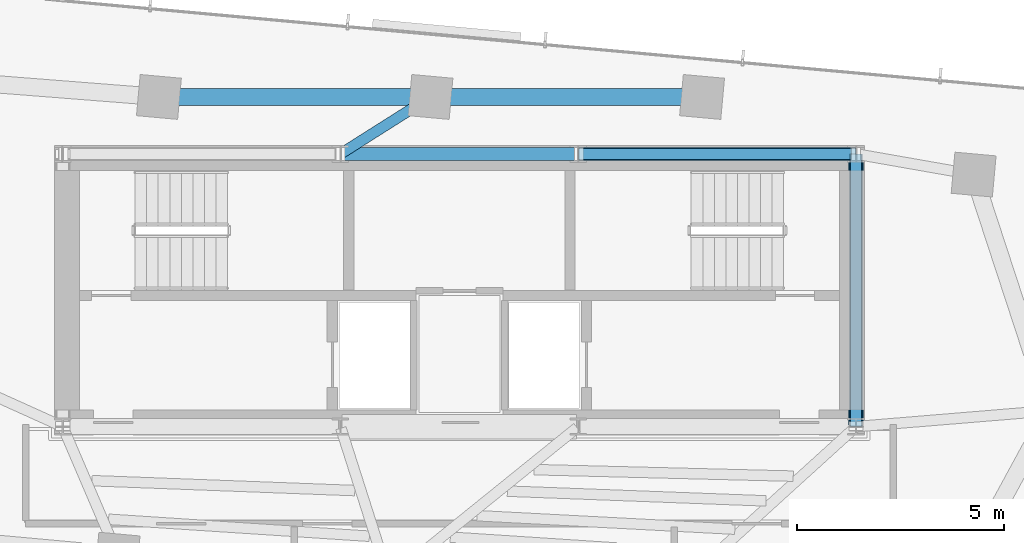
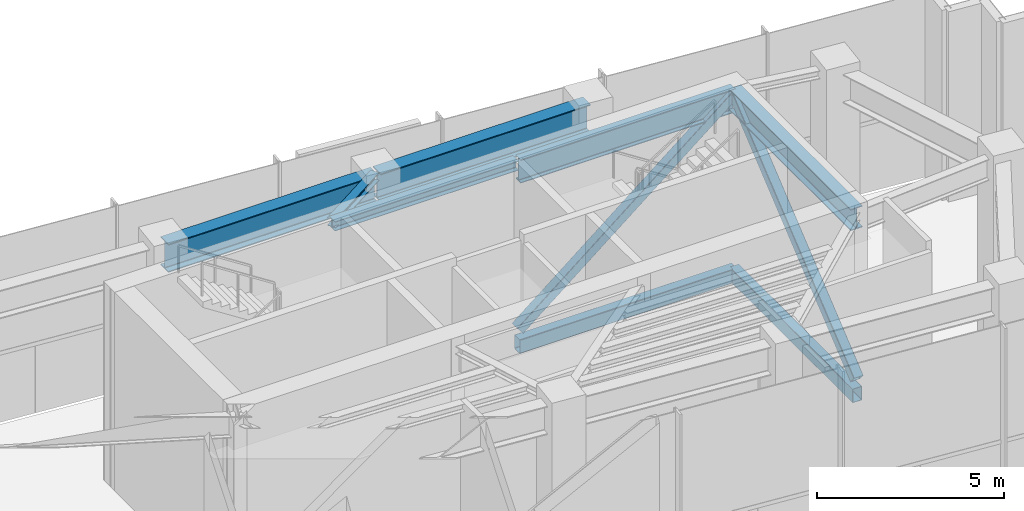
# One storey, part 8 of 18: 6 beams, 4 members.
"""IFC4 building model written with IfcOpenShell, lengths in metres."""

from ifc_helpers import new_model, si_unit, direction, frame, origin, origin_2d, place, context, subcontext, project, spatial, hollow_rectangle, i_section, extrude, source, transform, mapped, material, material_profile, profile_set, type_object, type_shapes, element, save


model = new_model("IFC4")

# Units and contexts
model_context = context("Model", 3, precision=1e-05, world=origin(), true_north=direction((0.0, 1.0)))
body_context = subcontext(model_context, "Body", "Model", "MODEL_VIEW")
ifc_project = project(units=[si_unit("LENGTHUNIT", "METRE"), si_unit("AREAUNIT", "SQUARE_METRE"), si_unit("VOLUMEUNIT", "CUBIC_METRE"), si_unit("PLANEANGLEUNIT", "RADIAN"), si_unit("MASSUNIT", "GRAM", prefix="KILO")], contexts=[model_context])

# Site, building, storey
site_placement = place(None, origin())
site = spatial("IfcSite", under=ifc_project, at=site_placement, CompositionType="ELEMENT")
building_placement = place(site_placement, origin())
building = spatial("IfcBuilding", under=site, at=building_placement, Name="Astriad Promenade Condominiums", CompositionType="ELEMENT")
storey_placement = place(building_placement, frame((0.0, 0.0, 277.300048828125)))
storey = spatial("IfcBuildingStorey", under=building, at=storey_placement, Name="L78", CompositionType="ELEMENT", Elevation=277.300048828125)

# Beams
ifc_material_1 = material(Name="Steel ASTM A992 Grade 50", Category="steel")
ifc_material_profile_1 = material_profile(ifc_material_1, i_section(OverallWidth=0.267822265625, OverallDepth=0.76953125, WebThickness=0.015625, FlangeThickness=0.025390625, FilletRadius=0.021484375, at=origin_2d()), Name="W30X132")
ifc_profile_set_1 = profile_set([ifc_material_profile_1], Name="Steel ASTM A992 Grade 50")
beam_type_1 = type_object("IfcBeamType", Name="STEEL FLOOR GIRDER W30X132", PredefinedType="BEAM", material=ifc_profile_set_1)
shared_shape_1 = source(origin(), body_context, "Body", "SweptSolid", [
    extrude(i_section(OverallWidth=0.267822265625, OverallDepth=0.76953125, WebThickness=0.015625, FlangeThickness=0.025390625, FilletRadius=0.021484375, at=origin_2d()), origin(), (0.0, 0.0, 1.0), 6.64013671875),
])
type_shapes(beam_type_1, [shared_shape_1])
beam_1_placement = place(storey_placement, frame((38.919921875, 24.0, 5.835205078125), z_axis=(1.0, 0.0, 0.0), x_axis=(0.0, 1.0, 0.0)))
element("IfcBeam", 1, at=beam_1_placement, inside=storey, type_object=beam_type_1, Name="Core Ring Beam CG-N3-L78", PredefinedType="BEAM", context=body_context, shape_type="MappedRepresentation", body=[
    mapped(shared_shape_1, transform((0.0, 0.0, 0.0), scale=1.0)),
])
ifc_material_profile_2 = material_profile(ifc_material_1, i_section(OverallWidth=0.3046875, OverallDepth=0.307861328125, WebThickness=0.010009765625, FlangeThickness=0.015380859375, FilletRadius=0.01513671875, at=origin_2d()), Name="W12X65")
ifc_profile_set_2 = profile_set([ifc_material_profile_2], Name="Steel ASTM A992 Grade 50")
beam_type_2 = type_object("IfcBeamType", Name="STEEL OPENING LINTEL W12X65", PredefinedType="LINTEL", material=ifc_profile_set_2)
shared_shape_2 = source(origin(), body_context, "Body", "SweptSolid", [
    extrude(i_section(OverallWidth=0.3046875, OverallDepth=0.307861328125, WebThickness=0.010009765625, FlangeThickness=0.015380859375, FilletRadius=0.01513671875, at=origin_2d()), origin(), (0.0, 0.0, 1.0), 5.68017578125),
])
type_shapes(beam_type_2, [shared_shape_2])
beam_2_placement = place(storey_placement, frame((33.159912109375, 24.0, 6.066162109375), z_axis=(1.0, 0.0, 0.0), x_axis=(0.0, 1.0, 0.0)))
element("IfcBeam", 2, at=beam_2_placement, inside=storey, type_object=beam_type_2, Name="Core Ring Beam CG-N2-L78", PredefinedType="LINTEL", context=body_context, shape_type="MappedRepresentation", body=[
    mapped(shared_shape_2, transform((0.0, 0.0, 0.0), scale=1.0)),
])
ifc_material_profile_3 = material_profile(ifc_material_1, i_section(OverallWidth=0.35791015625, OverallDepth=0.706298828125, WebThickness=0.018310546875, FlangeThickness=0.0302734375, FilletRadius=0.020263671875, at=origin_2d()), Name="W27X178")
ifc_profile_set_3 = profile_set([ifc_material_profile_3], Name="Steel ASTM A992 Grade 50")
beam_type_3 = type_object("IfcBeamType", Name="STEEL FLOOR GIRDER W27X178", PredefinedType="BEAM", material=ifc_profile_set_3)
shared_shape_3 = source(origin(), body_context, "Body", "SweptSolid", [
    extrude(i_section(OverallWidth=0.35791015625, OverallDepth=0.706298828125, WebThickness=0.018310546875, FlangeThickness=0.0302734375, FilletRadius=0.020263671875, at=origin_2d()), origin(), (0.0, 0.0, 1.0), 6.52001953125),
])
type_shapes(beam_type_3, [shared_shape_3])
beam_3_placement = place(storey_placement, frame((45.60009765625, 17.43994140625, 5.86669921875), z_axis=(0.0, 1.0, 0.0), x_axis=(-1.0, 0.0, 0.0)))
element("IfcBeam", 3, at=beam_3_placement, inside=storey, type_object=beam_type_3, Name="Core Ring Beam CG-E1-L78", PredefinedType="BEAM", context=body_context, shape_type="MappedRepresentation", body=[
    mapped(shared_shape_3, transform((0.0, 0.0, 0.0), scale=1.0)),
])
ifc_material_profile_4 = material_profile(ifc_material_1, i_section(OverallWidth=0.25732421875, OverallDepth=0.26416015625, WebThickness=0.011962890625, FlangeThickness=0.01953125, FilletRadius=0.0126953125, at=origin_2d()), Name="W10X68")
ifc_profile_set_4 = profile_set([ifc_material_profile_4], Name="Steel ASTM A992 Grade 50")
beam_type_4 = type_object("IfcBeamType", Name="STEEL CANOPY BEAM W10X68", PredefinedType="BEAM", material=ifc_profile_set_4)
shared_shape_4 = source(origin(), body_context, "Body", "SweptSolid", [
    extrude(i_section(OverallWidth=0.25732421875, OverallDepth=0.26416015625, WebThickness=0.011962890625, FlangeThickness=0.01953125, FilletRadius=0.0126953125, at=origin_2d()), origin(), (0.0, 0.0, 1.0), 2.50048828125),
])
type_shapes(beam_type_4, [shared_shape_4])
beam_4_placement = place(storey_placement, frame((35.2666015625, 25.358642578125, 6.087890625), z_axis=(-0.844989692299, -0.534782591255, 0.0), x_axis=(0.534782591255, -0.844989692299, 0.0)))
element("IfcBeam", 4, at=beam_4_placement, inside=storey, type_object=beam_type_4, Name="Primary Floor Girder PG-NC-L78", PredefinedType="BEAM", context=body_context, shape_type="MappedRepresentation", body=[
    mapped(shared_shape_4, transform((0.0, 0.0, 0.0), scale=1.0)),
])
ifc_material_profile_5 = material_profile(ifc_material_1, i_section(OverallWidth=0.418212890625, OverallDepth=0.926513671875, WebThickness=0.019287109375, FlangeThickness=0.031982421875, FilletRadius=0.024169921875, at=origin_2d()), Name="W36X231")
ifc_profile_set_5 = profile_set([ifc_material_profile_5], Name="Steel ASTM A992 Grade 50")
beam_type_5 = type_object("IfcBeamType", Name="STEEL CROWN RING BEAM W36X231", PredefinedType="BEAM", material=ifc_profile_set_5)
shared_shape_5 = source(origin(), body_context, "Body", "SweptSolid", [
    extrude(i_section(OverallWidth=0.418212890625, OverallDepth=0.926513671875, WebThickness=0.019287109375, FlangeThickness=0.031982421875, FilletRadius=0.024169921875, at=origin_2d()), origin(), (0.0, 0.0, 1.0), 6.49267578125),
])
type_shapes(beam_type_5, [shared_shape_5])
for number, where, z_axis, x_axis, name in (
    (5, (41.8330078125, 25.3798828125, 5.756591796875), (-1.0, 0.0, 0.0), (0.0, -1.0, 0.0), "Perimeter Spandrel Beam SP-N3-L78"),
    (6, (35.26025390625, 25.3798828125, 5.756591796875), (-1.0, 0.0, 0.0), (0.0, -1.0, 0.0), "Perimeter Spandrel Beam SP-N2-L78"),
):
    element("IfcBeam", number, at=place(storey_placement, frame(where, z_axis=z_axis, x_axis=x_axis)), inside=storey, type_object=beam_type_5, Name=name, PredefinedType="BEAM", context=body_context, shape_type="MappedRepresentation", body=[
        mapped(shared_shape_5, transform((0.0, 0.0, 0.0), scale=1.0)),
    ])

# Members
ifc_material_2 = material(Name="Steel ASTM A500 Grade C", Category="steel")
ifc_material_profile_6 = material_profile(ifc_material_2, hollow_rectangle(XDim=0.3046875, YDim=0.457275390625, WallThickness=0.014892578125, InnerFilletRadius=0.014892578125, OuterFilletRadius=0.029541015625, at=origin_2d()), Name="HSS457X305X15.9")
ifc_profile_set_6 = profile_set([ifc_material_profile_6], Name="Steel ASTM A500 Grade C")
member_type_1 = type_object("IfcMemberType", Name="HSS LANTERN RING CHORD 457X305", PredefinedType="CHORD", material=ifc_profile_set_6)
shared_shape_6 = source(origin(), body_context, "Body", "SweptSolid", [
    extrude(hollow_rectangle(XDim=0.3046875, YDim=0.457275390625, WallThickness=0.014892578125, InnerFilletRadius=0.014892578125, OuterFilletRadius=0.029541015625, at=origin_2d()), origin(), (0.0, 0.0, 1.0), 6.7099609375),
])
member_1_placement = place(storey_placement, frame((38.885009765625, 24.0, 0.119873046875), z_axis=(1.0, 0.0, 0.0), x_axis=(0.0, 1.0, 0.0)))
element("IfcMember", 7, at=member_1_placement, inside=storey, type_object=member_type_1, Name="Crown Ring Interior Chord HCHORD-L78-02", PredefinedType="CHORD", context=body_context, shape_type="MappedRepresentation", body=[
    mapped(shared_shape_6, transform((0.0, 0.0, 0.0), scale=1.0)),
])
ifc_material_profile_7 = material_profile(ifc_material_2, hollow_rectangle(XDim=0.3046875, YDim=0.3046875, WallThickness=0.014892578125, InnerFilletRadius=0.014892578125, OuterFilletRadius=0.029541015625, at=origin_2d()), Name="HSS305X305X15.9")
ifc_profile_set_7 = profile_set([ifc_material_profile_7], Name="Steel ASTM A500 Grade C")
member_type_2 = type_object("IfcMemberType", Name="HSS SECONDARY DIAGONAL BRACE 305X305", PredefinedType="BRACE", material=ifc_profile_set_7)
shared_shape_7 = source(origin(), body_context, "Body", "SweptSolid", [
    extrude(hollow_rectangle(XDim=0.3046875, YDim=0.3046875, WallThickness=0.014892578125, InnerFilletRadius=0.014892578125, OuterFilletRadius=0.029541015625, at=origin_2d()), origin(), (0.0, 0.0, 1.0), 8.602294921875),
])
member_2_placement = place(storey_placement, frame((38.8994140625, 24.0, 0.6357421875), z_axis=(0.776681444214, 0.0, 0.629893589596), x_axis=(0.0, 1.0, 0.0)))
element("IfcMember", 8, at=member_2_placement, inside=storey, type_object=member_type_2, Name="Crown Ring Interior Brace HBRACE-L78-02", PredefinedType="BRACE", context=body_context, shape_type="MappedRepresentation", body=[
    mapped(shared_shape_7, transform((0.0, 0.0, 0.0), scale=1.0)),
])
shared_shape_8 = source(origin(), body_context, "Body", "SweptSolid", [
    extrude(hollow_rectangle(XDim=0.3046875, YDim=0.457275390625, WallThickness=0.014892578125, InnerFilletRadius=0.014892578125, OuterFilletRadius=0.029541015625, at=origin_2d()), origin(), (0.0, 0.0, 1.0), 6.590087890625),
])
type_shapes(member_type_1, [shared_shape_6, shared_shape_8])
member_3_placement = place(storey_placement, frame((45.60009765625, 17.405029296875, 0.119873046875), z_axis=(0.0, 1.0, 0.0), x_axis=(-1.0, 0.0, 0.0)))
element("IfcMember", 9, at=member_3_placement, inside=storey, type_object=member_type_1, Name="Crown Ring Interior Chord HCHORD-L78-04", PredefinedType="CHORD", context=body_context, shape_type="MappedRepresentation", body=[
    mapped(shared_shape_8, transform((0.0, 0.0, 0.0), scale=1.0)),
])
shared_shape_9 = source(origin(), body_context, "Body", "SweptSolid", [
    extrude(hollow_rectangle(XDim=0.3046875, YDim=0.3046875, WallThickness=0.014892578125, InnerFilletRadius=0.014892578125, OuterFilletRadius=0.029541015625, at=origin_2d()), origin(), (0.0, 0.0, 1.0), 8.509521484375),
])
type_shapes(member_type_2, [shared_shape_7, shared_shape_9])
member_4_placement = place(storey_placement, frame((45.60009765625, 17.419189453125, 0.6357421875), z_axis=(0.0, 0.771087298108, 0.636729439162), x_axis=(-1.0, 0.0, 0.0)))
element("IfcMember", 10, at=member_4_placement, inside=storey, type_object=member_type_2, Name="Crown Ring Interior Brace HBRACE-L78-04", PredefinedType="BRACE", context=body_context, shape_type="MappedRepresentation", body=[
    mapped(shared_shape_9, transform((0.0, 0.0, 0.0), scale=1.0)),
])

save(model, "model.ifc")
